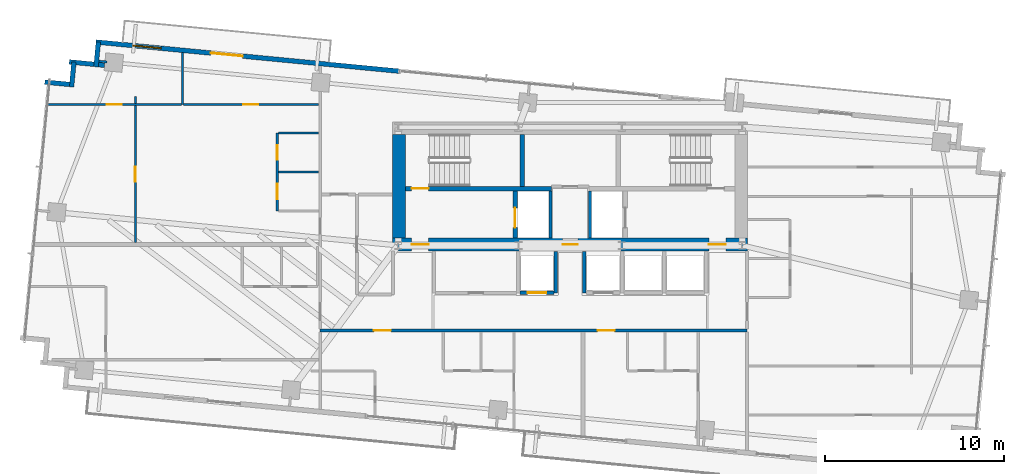
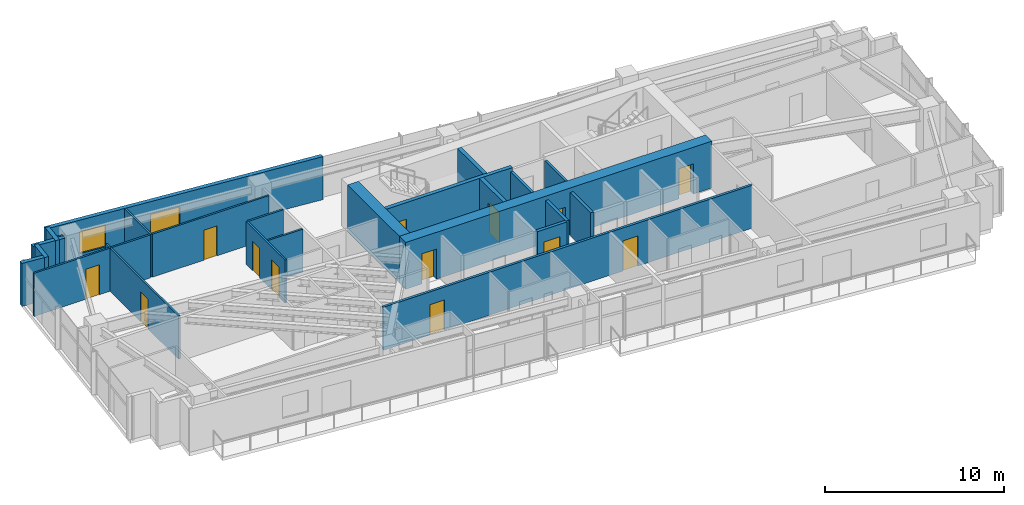
# One storey, part 16 of 20: 25 walls, 14 doors, 1 window, 15 openings.
"""IFC4 building model written with IfcOpenShell, lengths in metres."""

from ifc_helpers import new_model, si_unit, direction, frame, frame_2d, origin, place, context, subcontext, project, spatial, rectangle, extrude, source, transform, mapped, material, layer, layer_set, type_object, type_shapes, element, fill, save


model = new_model("IFC4")

# Units and contexts
model_context = context("Model", 3, precision=1e-05, world=origin(), true_north=direction((0.0, 1.0)))
body_context = subcontext(model_context, "Body", "Model", "MODEL_VIEW")
ifc_project = project(units=[si_unit("LENGTHUNIT", "METRE"), si_unit("AREAUNIT", "SQUARE_METRE"), si_unit("VOLUMEUNIT", "CUBIC_METRE"), si_unit("PLANEANGLEUNIT", "RADIAN"), si_unit("MASSUNIT", "GRAM", prefix="KILO")], contexts=[model_context])

# Site, building, storey
site_placement = place(None, origin())
site = spatial("IfcSite", under=ifc_project, at=site_placement, CompositionType="ELEMENT")
building_placement = place(site_placement, origin())
building = spatial("IfcBuilding", under=site, at=building_placement, Name="Astriad Promenade Condominiums", CompositionType="ELEMENT")
storey_placement = place(building_placement, frame((0.0, 0.0, 134.199951171875)))
storey = spatial("IfcBuildingStorey", under=building, at=storey_placement, Name="L38", CompositionType="ELEMENT", Elevation=134.199951171875)

# Wall, openings, doors
ifc_material_1 = material(Name="Concrete C60/75", Category="concrete")
ifc_layer_1 = layer(ifc_material_1, 0.699951171875)
ifc_layer_set_1 = layer_set([ifc_layer_1], Name="Concrete C60/75")
wall_type_1 = type_object("IfcWallType", Name="CW-SHEAR-700", PredefinedType="SHEAR", material=ifc_layer_set_1)
wall_1_placement = place(storey_placement, frame((26.10009765625, 17.449951171875, 0.0), z_axis=(0.0, 0.0, 1.0), x_axis=(1.0, 0.0, 0.0)))
wall_1 = element("IfcWall", 1, at=wall_1_placement, inside=storey, type_object=wall_type_1, Name="CW-CORE-S-L38", PredefinedType="SHEAR", context=body_context, shape_type="SweptSolid", body=[
    extrude(rectangle(XDim=19.7998046875, YDim=0.699951171875, at=frame_2d((9.89990234375, 0.0))), origin(), (0.0, 0.0, 1.0), 3.199951171875),
])
opening_1_placement = place(wall_1_placement, frame((1.050048828125, 0.0, 0.0)))
opening_1 = element("IfcOpeningElement", 2, at=opening_1_placement, cuts=wall_1, Name="Opening FD90-ST-095", PredefinedType="OPENING", context=body_context, shape_type="SweptSolid", body=[
    extrude(rectangle(XDim=0.949951171875, YDim=2.06005859375, at=frame_2d((0.47509765625, 1.030029296875))), frame((0.0, 0.35986328125, 0.0), z_axis=(0.0, -1.0, 0.0), x_axis=(1.0, 0.0, 0.0)), (0.0, 0.0, 1.0), 0.719970703125),
])
opening_2_placement = place(wall_1_placement, frame((9.47998046875, 0.0, 0.0)))
opening_2 = element("IfcOpeningElement", 3, at=opening_2_placement, cuts=wall_1, Name="Opening FD60-ULOW-085", PredefinedType="OPENING", context=body_context, shape_type="SweptSolid", body=[
    extrude(rectangle(XDim=0.85009765625, YDim=2.0, at=frame_2d((0.425048828125, 1.0))), frame((0.0, 0.35986328125, 0.0), z_axis=(0.0, -1.0, 0.0), x_axis=(1.0, 0.0, 0.0)), (0.0, 0.0, 1.0), 0.719970703125),
])
opening_3_placement = place(wall_1_placement, frame((17.64990234375, 0.0, 0.0)))
opening_3 = element("IfcOpeningElement", 4, at=opening_3_placement, cuts=wall_1, Name="Opening FD90-ST-095", PredefinedType="OPENING", context=body_context, shape_type="SweptSolid", body=[
    extrude(rectangle(XDim=0.949951171875, YDim=2.06005859375, at=frame_2d((0.47509765625, 1.030029296875))), frame((0.0, 0.35986328125, 0.0), z_axis=(0.0, -1.0, 0.0), x_axis=(1.0, 0.0, 0.0)), (0.0, 0.0, 1.0), 0.719970703125),
])
ifc_material_2 = material(Name="Fire-Rated Hollow Metal Stair Door")
door_type_1 = type_object("IfcDoorType", Name="FD90-ST-095", OperationType="NOTDEFINED", PredefinedType="DOOR", material=ifc_material_2)
shared_shape_1 = source(origin(), body_context, "Body", "SweptSolid", [
    extrude(rectangle(XDim=0.949951171875, YDim=2.06005859375, at=frame_2d((0.47509765625, 1.030029296875))), frame((0.0, 0.02490234375, 0.0), z_axis=(0.0, -1.0, 0.0), x_axis=(1.0, 0.0, 0.0)), (0.0, 0.0, 1.0), 0.050048828125),
])
type_shapes(door_type_1, [shared_shape_1])
door_1_placement = place(opening_1_placement, origin())
door_1 = element("IfcDoor", 5, at=door_1_placement, inside=storey, type_object=door_type_1, Name="D-FFW-L38", OperationType="SINGLE_SWING_LEFT", OverallHeight=2.06005859375, OverallWidth=0.949951171875, PredefinedType="DOOR", context=body_context, shape_type="MappedRepresentation", body=[
    mapped(shared_shape_1, transform((0.0, 0.0, 0.0), scale=1.0)),
])
fill(opening_1, door_1)
door_2_placement = place(opening_3_placement, origin())
door_2 = element("IfcDoor", 6, at=door_2_placement, inside=storey, type_object=door_type_1, Name="D-FFE-L38", OperationType="SINGLE_SWING_RIGHT", OverallHeight=2.06005859375, OverallWidth=0.949951171875, PredefinedType="DOOR", context=body_context, shape_type="MappedRepresentation", body=[
    mapped(shared_shape_1, transform((0.0, 0.0, 0.0), scale=1.0)),
])
fill(opening_3, door_2)
ifc_material_3 = material(Name="Solid-Core Low-Headroom Fire Door")
door_type_2 = type_object("IfcDoorType", Name="FD60-ULOW-085", OperationType="NOTDEFINED", PredefinedType="DOOR", material=ifc_material_3)
shared_shape_2 = source(origin(), body_context, "Body", "SweptSolid", [
    extrude(rectangle(XDim=0.85009765625, YDim=2.0, at=frame_2d((0.425048828125, 1.0))), frame((0.0, 0.02490234375, 0.0), z_axis=(0.0, -1.0, 0.0), x_axis=(1.0, 0.0, 0.0)), (0.0, 0.0, 1.0), 0.050048828125),
])
type_shapes(door_type_2, [shared_shape_2])
door_3_placement = place(opening_2_placement, origin())
door_3 = element("IfcDoor", 7, at=door_3_placement, inside=storey, type_object=door_type_2, Name="D-CSL-L38", OperationType="SINGLE_SWING_RIGHT", OverallHeight=2.0, OverallWidth=0.85009765625, PredefinedType="DOOR", context=body_context, shape_type="MappedRepresentation", body=[
    mapped(shared_shape_2, transform((0.0, 0.0, 0.0), scale=1.0)),
])
fill(opening_2, door_3)

# Wall
wall_2_placement = place(storey_placement, frame((26.449951171875, 17.802001953125, 0.0), z_axis=(0.0, 0.0, 1.0), x_axis=(0.0, 1.0, 0.0)))
element("IfcWall", 8, at=wall_2_placement, inside=storey, type_object=wall_type_1, Name="CW-CORE-W-L38", PredefinedType="SHEAR", context=body_context, shape_type="SweptSolid", body=[
    extrude(rectangle(XDim=5.7958984375, YDim=0.699951171875, at=frame_2d((2.89794921875, 0.0))), origin(), (0.0, 0.0, 1.0), 3.199951171875),
])

# Wall, opening, door
ifc_material_4 = material(Name="Concrete C50/60", Category="concrete")
ifc_layer_2 = layer(ifc_material_4, 0.25)
ifc_layer_set_2 = layer_set([ifc_layer_2], Name="Concrete C50/60")
wall_type_2 = type_object("IfcWallType", Name="WALL-CORE-INT-250", PredefinedType="SOLIDWALL", material=ifc_layer_set_2)
wall_3_placement = place(storey_placement, frame((26.802001953125, 20.574951171875, 0.0), z_axis=(0.0, 0.0, 1.0), x_axis=(1.0, 0.0, 0.0)))
wall_3 = element("IfcWall", 9, at=wall_3_placement, inside=storey, type_object=wall_type_2, Name="CW-INT-H1-L38", PredefinedType="SOLIDWALL", context=body_context, shape_type="SweptSolid", body=[
    extrude(rectangle(XDim=8.14794921875, YDim=0.25, at=frame_2d((4.073974609375, 0.0))), origin(), (0.0, 0.0, 1.0), 3.199951171875),
])
opening_4_placement = place(wall_3_placement, frame((0.347900390625, 0.0, 0.0)))
opening_4 = element("IfcOpeningElement", 10, at=opening_4_placement, cuts=wall_3, Name="Opening FD90-ST-095", PredefinedType="OPENING", context=body_context, shape_type="SweptSolid", body=[
    extrude(rectangle(XDim=0.949951171875, YDim=2.06005859375, at=frame_2d((0.47509765625, 1.030029296875))), frame((0.0, 0.135009765625, 0.0), z_axis=(0.0, -1.0, 0.0), x_axis=(1.0, 0.0, 0.0)), (0.0, 0.0, 1.0), 0.27001953125),
])
door_4_placement = place(opening_4_placement, origin())
door_4 = element("IfcDoor", 11, at=door_4_placement, inside=storey, type_object=door_type_1, Name="D-ST1-L38", OperationType="SINGLE_SWING_RIGHT", OverallHeight=2.06005859375, OverallWidth=0.949951171875, PredefinedType="DOOR", context=body_context, shape_type="MappedRepresentation", body=[
    mapped(shared_shape_1, transform((0.0, 0.0, 0.0), scale=1.0)),
])
fill(opening_4, door_4)

# Wall
wall_4_placement = place(storey_placement, frame((33.324951171875, 20.701904296875, 0.0), z_axis=(0.0, 0.0, 1.0), x_axis=(0.0, 1.0, 0.0)))
element("IfcWall", 12, at=wall_4_placement, inside=storey, type_object=wall_type_2, Name="CW-ST1-E-L38", PredefinedType="SOLIDWALL", context=body_context, shape_type="SweptSolid", body=[
    extrude(rectangle(XDim=2.89599609375, YDim=0.25, at=frame_2d((1.447998046875, 0.0))), origin(), (0.0, 0.0, 1.0), 3.199951171875),
])

# Wall, opening, door
wall_5_placement = place(storey_placement, frame((32.925048828125, 17.802001953125, 0.0), z_axis=(0.0, 0.0, 1.0), x_axis=(0.0, 1.0, 0.0)))
wall_5 = element("IfcWall", 13, at=wall_5_placement, inside=storey, type_object=wall_type_2, Name="CW-FFL1-W-L38", PredefinedType="SOLIDWALL", context=body_context, shape_type="SweptSolid", body=[
    extrude(rectangle(XDim=2.64599609375, YDim=0.25, at=frame_2d((1.322998046875, 0.0))), origin(), (0.0, 0.0, 1.0), 3.199951171875),
])
opening_5_placement = place(wall_5_placement, frame((0.597900390625, 0.0, 0.0)))
opening_5 = element("IfcOpeningElement", 14, at=opening_5_placement, cuts=wall_5, Name="Opening LD-FFL-1122", PredefinedType="OPENING", context=body_context, shape_type="SweptSolid", body=[
    extrude(rectangle(XDim=1.10009765625, YDim=2.080078125, at=frame_2d((0.550048828125, 1.0400390625))), frame((0.0, 0.135009765625, 0.0), z_axis=(0.0, -1.0, 0.0), x_axis=(1.0, 0.0, 0.0)), (0.0, 0.0, 1.0), 0.27001953125),
])
ifc_material_5 = material(Name="Brushed Stainless Steel Fire Elevator Landing Door", Category="steel")
door_type_3 = type_object("IfcDoorType", Name="LD-FFL-1122", OperationType="NOTDEFINED", PredefinedType="DOOR", material=ifc_material_5)
shared_shape_3 = source(origin(), body_context, "Body", "SweptSolid", [
    extrude(rectangle(XDim=1.10009765625, YDim=2.080078125, at=frame_2d((0.550048828125, 1.0400390625))), frame((0.0, 0.02490234375, 0.0), z_axis=(0.0, -1.0, 0.0), x_axis=(1.0, 0.0, 0.0)), (0.0, 0.0, 1.0), 0.050048828125),
])
type_shapes(door_type_3, [shared_shape_3])
door_5_placement = place(opening_5_placement, origin())
door_5 = element("IfcDoor", 15, at=door_5_placement, inside=storey, type_object=door_type_3, Name="Elevator Landing Door FFL-1 (L38)", OperationType="SLIDING_TO_LEFT", OverallHeight=2.080078125, OverallWidth=1.10009765625, PredefinedType="DOOR", context=body_context, shape_type="MappedRepresentation", body=[
    mapped(shared_shape_3, transform((0.0, 0.0, 0.0), scale=1.0)),
])
fill(opening_5, door_5)

# Walls
ifc_material_6 = material(Name="Fire-Rated Gypsum Partition")
ifc_layer_3 = layer(ifc_material_6, 0.159912109375)
ifc_layer_set_3 = layer_set([ifc_layer_3], Name="Fire-Rated Gypsum Partition")
wall_type_3 = type_object("IfcWallType", Name="WALL-CORR-160", PredefinedType="PARTITIONING", material=ifc_layer_set_3)
for number, where, z_axis, x_axis, name in (
    (16, (34.89990234375, 17.802001953125, 0.0), (0.0, 0.0, 1.0), (0.0, 1.0, 0.0), "CW-FFL1-E-L38"),
    (17, (37.10009765625, 17.802001953125, 0.0), (0.0, 0.0, 1.0), (0.0, 1.0, 0.0), "CW-FFL2-W-L38"),
):
    element("IfcWall", number, at=place(storey_placement, frame(where, z_axis=z_axis, x_axis=x_axis)), inside=storey, type_object=wall_type_3, Name=name, PredefinedType="PARTITIONING", context=body_context, shape_type="SweptSolid", body=[
        extrude(rectangle(XDim=2.64599609375, YDim=0.159912109375, at=frame_2d((1.322998046875, 0.0))), origin(), (0.0, 0.0, 1.0), 2.93994140625),
    ])

# Wall, openings, doors
wall_6_placement = place(storey_placement, frame((22.050048828125, 12.64990234375, 0.0), z_axis=(0.0, 0.0, 1.0), x_axis=(1.0, 0.0, 0.0)))
wall_6 = element("IfcWall", 18, at=wall_6_placement, inside=storey, type_object=wall_type_3, Name="PT-COR-S-L38", PredefinedType="PARTITIONING", context=body_context, shape_type="SweptSolid", body=[
    extrude(rectangle(XDim=23.829833984375, YDim=0.159912109375, at=frame_2d((11.9150390625, 0.0))), origin(), (0.0, 0.0, 1.0), 2.93994140625),
])
opening_6_placement = place(wall_6_placement, frame((3.0, 0.0, 0.0)))
opening_6 = element("IfcOpeningElement", 19, at=opening_6_placement, cuts=wall_6, Name="Opening FD60-APT-095", PredefinedType="OPENING", context=body_context, shape_type="SweptSolid", body=[
    extrude(rectangle(XDim=0.949951171875, YDim=2.06005859375, at=frame_2d((0.47509765625, 1.030029296875))), frame((0.0, 0.08984375, 0.0), z_axis=(0.0, -1.0, 0.0), x_axis=(1.0, 0.0, 0.0)), (0.0, 0.0, 1.0), 0.179931640625),
])
opening_7_placement = place(wall_6_placement, frame((15.485107421875, 0.0, 0.0)))
opening_7 = element("IfcOpeningElement", 20, at=opening_7_placement, cuts=wall_6, Name="Opening FD60-APT-095", PredefinedType="OPENING", context=body_context, shape_type="SweptSolid", body=[
    extrude(rectangle(XDim=0.949951171875, YDim=2.06005859375, at=frame_2d((0.47509765625, 1.030029296875))), frame((0.0, 0.08984375, 0.0), z_axis=(0.0, -1.0, 0.0), x_axis=(1.0, 0.0, 0.0)), (0.0, 0.0, 1.0), 0.179931640625),
])
ifc_material_7 = material(Name="Solid-Core Acoustic Timber Residence Entry Door", Category="wood")
door_type_4 = type_object("IfcDoorType", Name="FD60-APT-095", OperationType="NOTDEFINED", PredefinedType="DOOR", material=ifc_material_7)
shared_shape_4 = source(origin(), body_context, "Body", "SweptSolid", [
    extrude(rectangle(XDim=0.949951171875, YDim=2.06005859375, at=frame_2d((0.47509765625, 1.030029296875))), frame((0.0, 0.02490234375, 0.0), z_axis=(0.0, -1.0, 0.0), x_axis=(1.0, 0.0, 0.0)), (0.0, 0.0, 1.0), 0.050048828125),
])
type_shapes(door_type_4, [shared_shape_4])
door_6_placement = place(opening_6_placement, origin())
door_6 = element("IfcDoor", 21, at=door_6_placement, inside=storey, type_object=door_type_4, Name="D-ENT-L38-S1", OperationType="SINGLE_SWING_LEFT", OverallHeight=2.06005859375, OverallWidth=0.949951171875, PredefinedType="DOOR", context=body_context, shape_type="MappedRepresentation", body=[
    mapped(shared_shape_4, transform((0.0, 0.0, 0.0), scale=1.0)),
])
fill(opening_6, door_6)
door_7_placement = place(opening_7_placement, origin())
door_7 = element("IfcDoor", 22, at=door_7_placement, inside=storey, type_object=door_type_4, Name="D-ENT-L38-S2", OperationType="SINGLE_SWING_LEFT", OverallHeight=2.06005859375, OverallWidth=0.949951171875, PredefinedType="DOOR", context=body_context, shape_type="MappedRepresentation", body=[
    mapped(shared_shape_4, transform((0.0, 0.0, 0.0), scale=1.0)),
])
fill(opening_7, door_7)

# Walls
ifc_material_8 = material(Name="Precast concrete C50/60", Category="concrete")
ifc_layer_4 = layer(ifc_material_8, 0.260009765625)
ifc_layer_set_4 = layer_set([ifc_layer_4], Name="Precast concrete C50/60")
wall_type_4 = type_object("IfcWallType", Name="WALL-EXT-TWR-260", PredefinedType="STANDARD", material=ifc_layer_set_4)
wall_7_placement = place(storey_placement, frame((6.68115234375, 26.518310546875, 0.0), z_axis=(0.0, 0.0, 1.0), x_axis=(0.995389446633, -0.095915846097, 0.0)))
element("IfcWall", 23, at=wall_7_placement, inside=storey, type_object=wall_type_4, Name="W-SER-L38-04", PredefinedType="STANDARD", context=body_context, shape_type="SweptSolid", body=[
    extrude(rectangle(XDim=1.394775390625, YDim=0.260009765625, at=frame_2d((0.697265625, 0.0))), origin(), (0.0, 0.0, 1.0), 2.93994140625),
])
wall_8_placement = place(storey_placement, frame((8.171875, 26.243896484375, 0.0), z_axis=(0.0, 0.0, 1.0), x_axis=(0.095725744959, 0.99540774648, 0.0)))
element("IfcWall", 24, at=wall_8_placement, inside=storey, type_object=wall_type_4, Name="W-SER-L38-05", PredefinedType="STANDARD", context=body_context, shape_type="SweptSolid", body=[
    extrude(rectangle(XDim=1.39501953125, YDim=0.260009765625, at=frame_2d((0.697509765625, 0.0))), origin(), (0.0, 0.0, 1.0), 2.93994140625),
])
wall_9_placement = place(storey_placement, frame((8.045166015625, 27.642578125, 0.0), z_axis=(0.0, 0.0, 1.0), x_axis=(0.995391147587, -0.095898192396, 0.0)))
element("IfcWall", 25, at=wall_9_placement, inside=storey, type_object=wall_type_4, Name="W-SER-L38-06", PredefinedType="STANDARD", context=body_context, shape_type="SweptSolid", body=[
    extrude(rectangle(XDim=1.97802734375, YDim=0.260009765625, at=frame_2d((0.989013671875, 0.0))), origin(), (0.0, 0.0, 1.0), 2.93994140625),
])
wall_10_placement = place(storey_placement, frame((9.535888671875, 27.368408203125, 0.0), z_axis=(0.0, 0.0, 1.0), x_axis=(0.095915846097, 0.995389446633, 0.0)))
element("IfcWall", 26, at=wall_10_placement, inside=storey, type_object=wall_type_4, Name="W-SER-L38-07", PredefinedType="STANDARD", context=body_context, shape_type="SweptSolid", body=[
    extrude(rectangle(XDim=1.394775390625, YDim=0.260009765625, at=frame_2d((0.697265625, 0.0))), origin(), (0.0, 0.0, 1.0), 2.93994140625),
])

# Wall, openings, door, window
wall_11_placement = place(storey_placement, frame((9.538818359375, 28.75439453125, 0.0), z_axis=(0.0, 0.0, 1.0), x_axis=(0.995397345886, -0.09583383433, 0.0)))
wall_11 = element("IfcWall", 27, at=wall_11_placement, inside=storey, type_object=wall_type_4, Name="W-EXT-L38-N1", PredefinedType="STANDARD", context=body_context, shape_type="SweptSolid", body=[
    extrude(rectangle(XDim=17.010009765625, YDim=0.260009765625, at=frame_2d((8.5048828125, 0.0))), origin(), (0.0, 0.0, 1.0), 2.93994140625),
])
opening_8_placement = place(wall_11_placement, frame((6.424072265625, 0.0, 0.0)))
opening_8 = element("IfcOpeningElement", 28, at=opening_8_placement, cuts=wall_11, Name="Opening BD-1822-SLD", PredefinedType="OPENING", context=body_context, shape_type="SweptSolid", body=[
    extrude(rectangle(XDim=1.800048828125, YDim=2.06005859375, at=frame_2d((0.89990234375, 1.030029296875))), frame((0.0, 0.139892578125, 0.0), z_axis=(0.0, -1.0, 0.0), x_axis=(1.0, 0.0, 0.0)), (0.0, 0.0, 1.0), 0.280029296875),
])
opening_9_placement = place(wall_11_placement, frame((2.050048828125, 0.0, 0.64990234375)))
opening_9 = element("IfcOpeningElement", 29, at=opening_9_placement, cuts=wall_11, Name="Opening WIN-TWR-1620", PredefinedType="OPENING", context=body_context, shape_type="SweptSolid", body=[
    extrude(rectangle(XDim=1.60009765625, YDim=1.5, at=frame_2d((0.800048828125, 0.75))), frame((0.0, 0.139892578125, 0.0), z_axis=(0.0, -1.0, 0.0), x_axis=(1.0, 0.0, 0.0)), (0.0, 0.0, 1.0), 0.280029296875),
])
ifc_material_9 = material(Name="Thermally Broken Aluminium Sliding Balcony Door", Category="aluminium")
door_type_5 = type_object("IfcDoorType", Name="BD-1822-SLD", OperationType="NOTDEFINED", PredefinedType="DOOR", material=ifc_material_9)
shared_shape_5 = source(origin(), body_context, "Body", "SweptSolid", [
    extrude(rectangle(XDim=1.800048828125, YDim=2.06005859375, at=frame_2d((0.89990234375, 1.030029296875))), frame((0.0, 0.02490234375, 0.0), z_axis=(0.0, -1.0, 0.0), x_axis=(1.0, 0.0, 0.0)), (0.0, 0.0, 1.0), 0.050048828125),
])
type_shapes(door_type_5, [shared_shape_5])
door_8_placement = place(opening_8_placement, origin())
door_8 = element("IfcDoor", 30, at=door_8_placement, inside=storey, type_object=door_type_5, Name="BD-L38-NW", OperationType="SLIDING_TO_LEFT", OverallHeight=2.06005859375, OverallWidth=1.800048828125, PredefinedType="DOOR", context=body_context, shape_type="MappedRepresentation", body=[
    mapped(shared_shape_5, transform((0.0, 0.0, 0.0), scale=1.0)),
])
fill(opening_8, door_8)
ifc_material_10 = material(Name="Dark Tinted Triple-Glazed Aluminium Window", Category="aluminium")
window_type = type_object("IfcWindowType", Name="WIN-TWR-1620", PartitioningType="SINGLE_PANEL", PredefinedType="WINDOW", material=ifc_material_10)
shared_shape_6 = source(origin(), body_context, "Body", "SweptSolid", [
    extrude(rectangle(XDim=1.60009765625, YDim=1.5, at=frame_2d((0.800048828125, 0.75))), frame((0.0, 0.030029296875, 0.0), z_axis=(0.0, -1.0, 0.0), x_axis=(1.0, 0.0, 0.0)), (0.0, 0.0, 1.0), 0.06005859375),
])
type_shapes(window_type, [shared_shape_6])
window_placement = place(opening_9_placement, origin())
window = element("IfcWindow", 31, at=window_placement, inside=storey, type_object=window_type, Name="WIN-L38-NW", OverallHeight=1.5, OverallWidth=1.60009765625, PartitioningType="SINGLE_PANEL", PredefinedType="WINDOW", context=body_context, shape_type="MappedRepresentation", body=[
    mapped(shared_shape_6, transform((0.0, 0.0, 0.0), scale=1.0)),
])
fill(opening_9, window)

# Wall, openings, doors
ifc_material_11 = material(Name="Acoustic Metal-Stud Gypsum Partition")
ifc_layer_5 = layer(ifc_material_11, 0.1201171875)
ifc_layer_set_5 = layer_set([ifc_layer_5], Name="Acoustic Metal-Stud Gypsum Partition")
wall_type_5 = type_object("IfcWallType", Name="WALL-PART-120", PredefinedType="PARTITIONING", material=ifc_layer_set_5)
wall_12_placement = place(storey_placement, frame((19.64990234375, 19.320068359375, 0.0), z_axis=(0.0, 0.0, 1.0), x_axis=(0.0, 1.0, 0.0)))
wall_12 = element("IfcWall", 32, at=wall_12_placement, inside=storey, type_object=wall_type_5, Name="PT-L38-W2-PV", PredefinedType="PARTITIONING", context=body_context, shape_type="SweptSolid", body=[
    extrude(rectangle(XDim=4.349853515625, YDim=0.1201171875, at=frame_2d((2.1748046875, 0.0))), origin(), (0.0, 0.0, 1.0), 2.93994140625),
])
opening_10_placement = place(wall_12_placement, frame((0.662109375, 0.0, 0.0)))
opening_10 = element("IfcOpeningElement", 33, at=opening_10_placement, cuts=wall_12, Name="Opening D-INT-085", PredefinedType="OPENING", context=body_context, shape_type="SweptSolid", body=[
    extrude(rectangle(XDim=0.85009765625, YDim=2.050048828125, at=frame_2d((0.425048828125, 1.02490234375))), frame((0.0, 0.070068359375, 0.0), z_axis=(0.0, -1.0, 0.0), x_axis=(1.0, 0.0, 0.0)), (0.0, 0.0, 1.0), 0.14013671875),
])
opening_11_placement = place(wall_12_placement, frame((2.863037109375, 0.0, 0.0)))
opening_11 = element("IfcOpeningElement", 34, at=opening_11_placement, cuts=wall_12, Name="Opening D-WET-080", PredefinedType="OPENING", context=body_context, shape_type="SweptSolid", body=[
    extrude(rectangle(XDim=0.800048828125, YDim=2.02001953125, at=frame_2d((0.39990234375, 1.010009765625))), frame((0.0, 0.070068359375, 0.0), z_axis=(0.0, -1.0, 0.0), x_axis=(1.0, 0.0, 0.0)), (0.0, 0.0, 1.0), 0.14013671875),
])
ifc_material_12 = material(Name="Moisture-Resistant Timber Bathroom Door", Category="wood")
door_type_6 = type_object("IfcDoorType", Name="D-WET-080", OperationType="NOTDEFINED", PredefinedType="DOOR", material=ifc_material_12)
shared_shape_7 = source(origin(), body_context, "Body", "SweptSolid", [
    extrude(rectangle(XDim=0.800048828125, YDim=2.02001953125, at=frame_2d((0.39990234375, 1.010009765625))), frame((0.0, 0.02490234375, 0.0), z_axis=(0.0, -1.0, 0.0), x_axis=(1.0, 0.0, 0.0)), (0.0, 0.0, 1.0), 0.050048828125),
])
type_shapes(door_type_6, [shared_shape_7])
door_9_placement = place(opening_11_placement, origin())
door_9 = element("IfcDoor", 35, at=door_9_placement, inside=storey, type_object=door_type_6, Name="D-BTH-L38-W2", OperationType="SINGLE_SWING_RIGHT", OverallHeight=2.02001953125, OverallWidth=0.800048828125, PredefinedType="DOOR", context=body_context, shape_type="MappedRepresentation", body=[
    mapped(shared_shape_7, transform((0.0, 0.0, 0.0), scale=1.0)),
])
fill(opening_11, door_9)
ifc_material_13 = material(Name="Painted Solid-Core Timber Room Door", Category="wood")
door_type_7 = type_object("IfcDoorType", Name="D-INT-085", OperationType="NOTDEFINED", PredefinedType="DOOR", material=ifc_material_13)
shared_shape_8 = source(origin(), body_context, "Body", "SweptSolid", [
    extrude(rectangle(XDim=0.85009765625, YDim=2.050048828125, at=frame_2d((0.425048828125, 1.02490234375))), frame((0.0, 0.02490234375, 0.0), z_axis=(0.0, -1.0, 0.0), x_axis=(1.0, 0.0, 0.0)), (0.0, 0.0, 1.0), 0.050048828125),
])
type_shapes(door_type_7, [shared_shape_8])
door_10_placement = place(opening_10_placement, origin())
door_10 = element("IfcDoor", 36, at=door_10_placement, inside=storey, type_object=door_type_7, Name="D-KIT-L38-W2", OperationType="SINGLE_SWING_LEFT", OverallHeight=2.050048828125, OverallWidth=0.85009765625, PredefinedType="DOOR", context=body_context, shape_type="MappedRepresentation", body=[
    mapped(shared_shape_8, transform((0.0, 0.0, 0.0), scale=1.0)),
])
fill(opening_10, door_10)

# Walls
for number, where, z_axis, x_axis, name in (
    (37, (19.7119140625, 21.4951171875, 0.0), (0.0, 0.0, 1.0), (1.0, 0.0, 0.0), "PT-L38-W2-PM"),
    (38, (19.7119140625, 23.669921875, 0.0), (0.0, 0.0, 1.0), (1.0, 0.0, 0.0), "PT-L38-W2-PN"),
):
    element("IfcWall", number, at=place(storey_placement, frame(where, z_axis=z_axis, x_axis=x_axis)), inside=storey, type_object=wall_type_5, Name=name, PredefinedType="PARTITIONING", context=body_context, shape_type="SweptSolid", body=[
        extrude(rectangle(XDim=2.256103515625, YDim=0.1201171875, at=frame_2d((1.1279296875, 0.0))), origin(), (0.0, 0.0, 1.0), 2.93994140625),
    ])
wall_13_placement = place(storey_placement, frame((14.364013671875, 25.26806640625, 0.0), z_axis=(0.0, 0.0, 1.0), x_axis=(0.0, 1.0, 0.0)))
element("IfcWall", 39, at=wall_13_placement, inside=storey, type_object=wall_type_5, Name="PT-L38-W2-B1M", PredefinedType="PARTITIONING", context=body_context, shape_type="SweptSolid", body=[
    extrude(rectangle(XDim=2.88916015625, YDim=0.1201171875, at=frame_2d((1.444580078125, 0.0))), origin(), (0.0, 0.0, 1.0), 2.93994140625),
])

# Wall, opening, door
wall_14_placement = place(storey_placement, frame((6.771728515625, 25.26806640625, 0.0), z_axis=(0.0, 0.0, 1.0), x_axis=(1.0, 0.0, 0.0)))
wall_14 = element("IfcWall", 40, at=wall_14_placement, inside=storey, type_object=wall_type_5, Name="PT-L38-W2-B1", PredefinedType="PARTITIONING", context=body_context, shape_type="SweptSolid", body=[
    extrude(rectangle(XDim=7.5302734375, YDim=0.1201171875, at=frame_2d((3.76513671875, 0.0))), origin(), (0.0, 0.0, 1.0), 2.93994140625),
])
opening_12_placement = place(wall_14_placement, frame((3.3642578125, 0.0, 0.0)))
opening_12 = element("IfcOpeningElement", 41, at=opening_12_placement, cuts=wall_14, Name="Opening D-INT-085", PredefinedType="OPENING", context=body_context, shape_type="SweptSolid", body=[
    extrude(rectangle(XDim=0.85009765625, YDim=2.050048828125, at=frame_2d((0.425048828125, 1.02490234375))), frame((0.0, 0.070068359375, 0.0), z_axis=(0.0, -1.0, 0.0), x_axis=(1.0, 0.0, 0.0)), (0.0, 0.0, 1.0), 0.14013671875),
])
door_11_placement = place(opening_12_placement, origin())
door_11 = element("IfcDoor", 42, at=door_11_placement, inside=storey, type_object=door_type_7, Name="D-BD1-L38-W2", OperationType="SINGLE_SWING_LEFT", OverallHeight=2.050048828125, OverallWidth=0.85009765625, PredefinedType="DOOR", context=body_context, shape_type="MappedRepresentation", body=[
    mapped(shared_shape_8, transform((0.0, 0.0, 0.0), scale=1.0)),
])
fill(opening_12, door_11)

wall_15_placement = place(storey_placement, frame((14.426025390625, 25.26806640625, 0.0), z_axis=(0.0, 0.0, 1.0), x_axis=(1.0, 0.0, 0.0)))
wall_15 = element("IfcWall", 43, at=wall_15_placement, inside=storey, type_object=wall_type_5, Name="PT-L38-W2-B1-S2", PredefinedType="PARTITIONING", context=body_context, shape_type="SweptSolid", body=[
    extrude(rectangle(XDim=7.5419921875, YDim=0.1201171875, at=frame_2d((3.77099609375, 0.0))), origin(), (0.0, 0.0, 1.0), 2.93994140625),
])
opening_13_placement = place(wall_15_placement, frame((3.31591796875, 0.0, 0.0)))
opening_13 = element("IfcOpeningElement", 44, at=opening_13_placement, cuts=wall_15, Name="Opening D-INT-085", PredefinedType="OPENING", context=body_context, shape_type="SweptSolid", body=[
    extrude(rectangle(XDim=0.85009765625, YDim=2.050048828125, at=frame_2d((0.425048828125, 1.02490234375))), frame((0.0, 0.070068359375, 0.0), z_axis=(0.0, -1.0, 0.0), x_axis=(1.0, 0.0, 0.0)), (0.0, 0.0, 1.0), 0.14013671875),
])
door_12_placement = place(opening_13_placement, origin())
door_12 = element("IfcDoor", 45, at=door_12_placement, inside=storey, type_object=door_type_7, Name="D-BD1B-L38-W2", OperationType="SINGLE_SWING_RIGHT", OverallHeight=2.050048828125, OverallWidth=0.85009765625, PredefinedType="DOOR", context=body_context, shape_type="MappedRepresentation", body=[
    mapped(shared_shape_8, transform((0.0, 0.0, 0.0), scale=1.0)),
])
fill(opening_13, door_12)

wall_16_placement = place(storey_placement, frame((11.738037109375, 17.552001953125, 0.0), z_axis=(0.0, 0.0, 1.0), x_axis=(0.0, 1.0, 0.0)))
wall_16 = element("IfcWall", 46, at=wall_16_placement, inside=storey, type_object=wall_type_5, Name="PT-L38-W2-WDV1", PredefinedType="PARTITIONING", context=body_context, shape_type="SweptSolid", body=[
    extrude(rectangle(XDim=7.654052734375, YDim=0.1201171875, at=frame_2d((3.8271484375, 0.0))), origin(), (0.0, 0.0, 1.0), 2.93994140625),
])
opening_14_placement = place(wall_16_placement, frame((3.402099609375, 0.0, 0.0)))
opening_14 = element("IfcOpeningElement", 47, at=opening_14_placement, cuts=wall_16, Name="Opening D-INT-085", PredefinedType="OPENING", context=body_context, shape_type="SweptSolid", body=[
    extrude(rectangle(XDim=0.85009765625, YDim=2.050048828125, at=frame_2d((0.425048828125, 1.02490234375))), frame((0.0, 0.070068359375, 0.0), z_axis=(0.0, -1.0, 0.0), x_axis=(1.0, 0.0, 0.0)), (0.0, 0.0, 1.0), 0.14013671875),
])
door_13_placement = place(opening_14_placement, origin())
door_13 = element("IfcDoor", 48, at=door_13_placement, inside=storey, type_object=door_type_7, Name="D-WDV1-L38-W2", OperationType="SINGLE_SWING_LEFT", OverallHeight=2.050048828125, OverallWidth=0.85009765625, PredefinedType="DOOR", context=body_context, shape_type="MappedRepresentation", body=[
    mapped(shared_shape_8, transform((0.0, 0.0, 0.0), scale=1.0)),
])
fill(opening_14, door_13)

# Walls
wall_17_placement = place(storey_placement, frame((11.738037109375, 25.330078125, 0.0), z_axis=(0.0, 0.0, 1.0), x_axis=(0.0, 1.0, 0.0)))
element("IfcWall", 49, at=wall_17_placement, inside=storey, type_object=wall_type_5, Name="PT-L38-W2-WDV1-S2", PredefinedType="PARTITIONING", context=body_context, shape_type="SweptSolid", body=[
    extrude(rectangle(XDim=0.3779296875, YDim=0.1201171875, at=frame_2d((0.18896484375, 0.0))), origin(), (0.0, 0.0, 1.0), 2.93994140625),
])
wall_18_placement = place(storey_placement, frame((10.15478515625, 27.640380859375, 0.0), z_axis=(0.0, 0.0, 1.0), x_axis=(-0.995435366701, 0.095438098896, 0.0)))
element("IfcWall", 50, at=wall_18_placement, inside=storey, type_object=wall_type_5, Name="PT-PIL-L38-PC06-13", PredefinedType="PARTITIONING", context=body_context, shape_type="SweptSolid", body=[
    extrude(rectangle(XDim=0.4580078125, YDim=0.1201171875, at=frame_2d((0.22900390625, 0.0))), origin(), (0.0, 0.0, 1.0), 2.93994140625),
])
ifc_material_14 = material(Name="Gypsum Shaftliner Assembly")
ifc_layer_6 = layer(ifc_material_14, 0.199951171875)
ifc_layer_set_6 = layer_set([ifc_layer_6], Name="Gypsum Shaftliner Assembly")
wall_type_6 = type_object("IfcWallType", Name="WALL-SHAFT-200", PredefinedType="PARTITIONING", material=ifc_layer_set_6)
wall_19_placement = place(storey_placement, frame((35.199951171875, 14.75, 0.0), z_axis=(0.0, 0.0, 1.0), x_axis=(0.0, 1.0, 0.0)))
element("IfcWall", 51, at=wall_19_placement, inside=storey, type_object=wall_type_6, Name="PL-M1-E-L38", PredefinedType="PARTITIONING", context=body_context, shape_type="SweptSolid", body=[
    extrude(rectangle(XDim=2.300048828125, YDim=0.199951171875, at=frame_2d((1.14990234375, 0.0))), origin(), (0.0, 0.0, 1.0), 2.93994140625),
])

# Wall, opening, door
wall_20_placement = place(storey_placement, frame((33.201904296875, 14.75, 0.0), z_axis=(0.0, 0.0, 1.0), x_axis=(1.0, 0.0, 0.0)))
wall_20 = element("IfcWall", 52, at=wall_20_placement, inside=storey, type_object=wall_type_6, Name="PL-M1-F-L38", PredefinedType="PARTITIONING", context=body_context, shape_type="SweptSolid", body=[
    extrude(rectangle(XDim=1.89599609375, YDim=0.199951171875, at=frame_2d((0.947998046875, 0.0))), origin(), (0.0, 0.0, 1.0), 2.93994140625),
])
opening_15_placement = place(wall_20_placement, frame((0.423095703125, 0.0, 0.0)))
opening_15 = element("IfcOpeningElement", 53, at=opening_15_placement, cuts=wall_20, Name="Opening LD-PL-10522", PredefinedType="OPENING", context=body_context, shape_type="SweptSolid", body=[
    extrude(rectangle(XDim=1.050048828125, YDim=2.080078125, at=frame_2d((0.52490234375, 1.0400390625))), frame((0.0, 0.10986328125, 0.0), z_axis=(0.0, -1.0, 0.0), x_axis=(1.0, 0.0, 0.0)), (0.0, 0.0, 1.0), 0.219970703125),
])
ifc_material_15 = material(Name="Brushed Bronze Passenger Elevator Landing Door")
door_type_8 = type_object("IfcDoorType", Name="LD-PL-10522", OperationType="NOTDEFINED", PredefinedType="DOOR", material=ifc_material_15)
shared_shape_9 = source(origin(), body_context, "Body", "SweptSolid", [
    extrude(rectangle(XDim=1.050048828125, YDim=2.080078125, at=frame_2d((0.52490234375, 1.0400390625))), frame((0.0, 0.02490234375, 0.0), z_axis=(0.0, -1.0, 0.0), x_axis=(1.0, 0.0, 0.0)), (0.0, 0.0, 1.0), 0.050048828125),
])
type_shapes(door_type_8, [shared_shape_9])
door_14_placement = place(opening_15_placement, origin())
door_14 = element("IfcDoor", 54, at=door_14_placement, inside=storey, type_object=door_type_8, Name="Elevator Landing Door PL-M1 (L38)", OperationType="SLIDING_TO_LEFT", OverallHeight=2.080078125, OverallWidth=1.050048828125, PredefinedType="DOOR", context=body_context, shape_type="MappedRepresentation", body=[
    mapped(shared_shape_9, transform((0.0, 0.0, 0.0), scale=1.0)),
])
fill(opening_15, door_14)

# Wall
wall_21_placement = place(storey_placement, frame((36.800048828125, 14.75, 0.0), z_axis=(0.0, 0.0, 1.0), x_axis=(0.0, 1.0, 0.0)))
element("IfcWall", 55, at=wall_21_placement, inside=storey, type_object=wall_type_6, Name="PL-M2-W-L38", PredefinedType="PARTITIONING", context=body_context, shape_type="SweptSolid", body=[
    extrude(rectangle(XDim=2.300048828125, YDim=0.199951171875, at=frame_2d((1.14990234375, 0.0))), origin(), (0.0, 0.0, 1.0), 2.93994140625),
])

save(model, "model.ifc")
